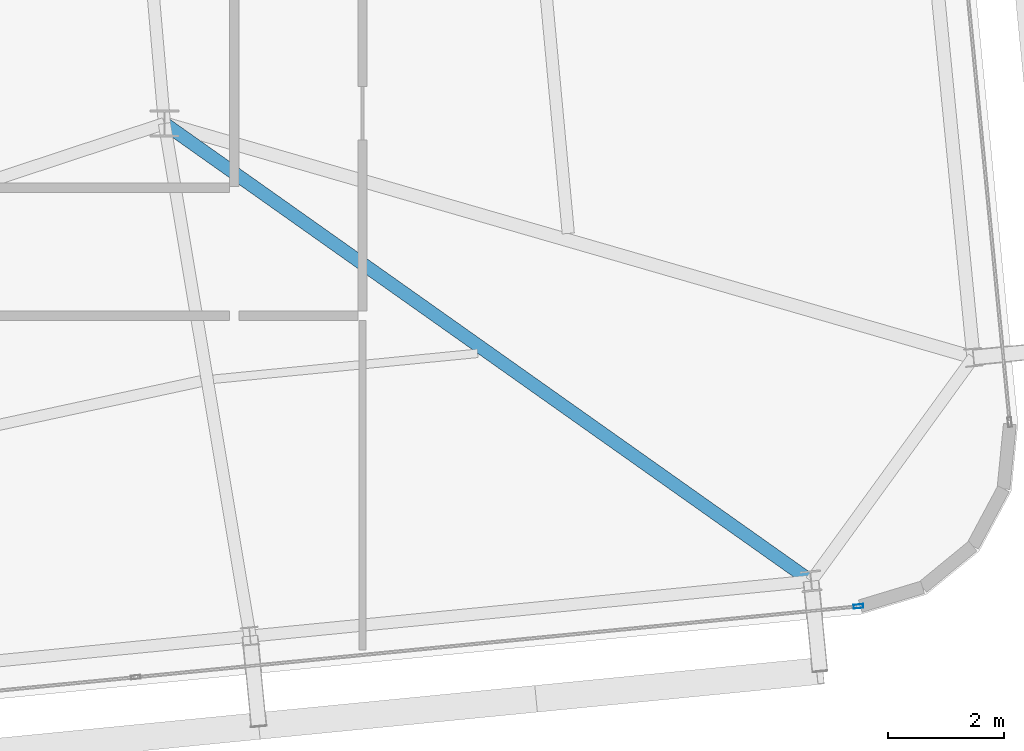
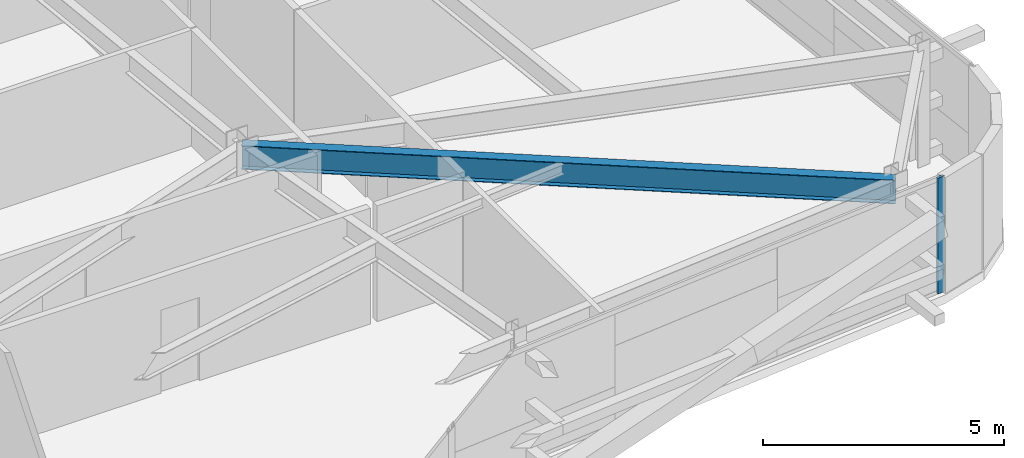
# One storey, part 17 of 47: 1 beam, 1 member, 1 element without a shape of its own.
"""IFC4 building model written with IfcOpenShell, lengths in metres."""

from ifc_helpers import new_model, si_unit, direction, frame, origin, origin_2d, place, context, subcontext, project, spatial, hollow_rectangle, i_section, extrude, source, transform, mapped, material, layer, layer_set, material_profile, profile_set, type_object, element, aggregate, save


model = new_model("IFC4")

# Units and contexts
model_context = context("Model", 3, precision=1e-05, world=origin(), true_north=direction((0.0, 1.0)))
body_context = subcontext(model_context, "Body", "Model", "MODEL_VIEW")
ifc_project = project(units=[si_unit("LENGTHUNIT", "METRE"), si_unit("AREAUNIT", "SQUARE_METRE"), si_unit("VOLUMEUNIT", "CUBIC_METRE"), si_unit("PLANEANGLEUNIT", "RADIAN"), si_unit("MASSUNIT", "GRAM", prefix="KILO")], contexts=[model_context])

# Site, building, storey
site_placement = place(None, origin())
site = spatial("IfcSite", under=ifc_project, at=site_placement, CompositionType="ELEMENT")
building_placement = place(site_placement, origin())
building = spatial("IfcBuilding", under=site, at=building_placement, Name="Taldren Reach Tower", CompositionType="ELEMENT")
storey_placement = place(building_placement, frame((0.0, 0.0, 87.14990234375)))
storey = spatial("IfcBuildingStorey", under=building, at=storey_placement, Name="L26", CompositionType="ELEMENT", Elevation=87.14990234375)

# Beam
ifc_material_1 = material(Name="Steel Gr 350 (350PLUS)", Category="steel")
ifc_material_profile_1 = material_profile(ifc_material_1, i_section(OverallWidth=0.22802734375, OverallDepth=0.60205078125, WebThickness=0.010498046875, FlangeThickness=0.014892578125, at=origin_2d()), Name="610UB101")
ifc_profile_set_1 = profile_set([ifc_material_profile_1], Name="Steel Gr 350 (350PLUS)")
beam_type = type_object("IfcBeamType", Name="BM-UB610B", PredefinedType="BEAM", material=ifc_profile_set_1)
shared_shape_1 = source(origin(), body_context, "Body", "SweptSolid", [
    extrude(i_section(OverallWidth=0.22802734375, OverallDepth=0.60205078125, WebThickness=0.010498046875, FlangeThickness=0.014892578125, at=origin_2d()), origin(), (0.0, 0.0, 1.0), 13.60205078125),
])
beam_placement = place(storey_placement, frame((52.0, 12.5, 2.629150390625), z_axis=(0.816297773281, -0.577631323022, 0.0), x_axis=(0.577631323022, 0.816297773281, 0.0)))
element("IfcBeam", 1, at=beam_placement, inside=storey, type_object=beam_type, Name="Primary floor girder B2-S6 L26", PredefinedType="BEAM", context=body_context, shape_type="MappedRepresentation", body=[
    mapped(shared_shape_1, transform((0.0, 0.0, 0.0), scale=1.0)),
])

# Curtain wall, member
ifc_material_2 = material(Name="Aluminium and Low-E Glass Unitised System", Category="aluminium")
ifc_layer = layer(ifc_material_2, 0.159912109375)
ifc_layer_set = layer_set([ifc_layer], Name="Aluminium and Low-E Glass Unitised System")
curtain_wall_type = type_object("IfcCurtainWallType", Name="CW-SYS-3", PredefinedType="NOTDEFINED", material=ifc_layer_set)
curtain_wall_placement = place(storey_placement, origin())
curtain_wall = element("IfcCurtainWall", 2, at=curtain_wall_placement, inside=storey, type_object=curtain_wall_type, Name="Unitised curtain wall CW-L26-S", PredefinedType="NOTDEFINED")
ifc_material_3 = material(Name="Anodised Aluminium 6063-T6", Category="aluminium")
ifc_material_profile_2 = material_profile(ifc_material_3, hollow_rectangle(XDim=0.06494140625, YDim=0.1650390625, WallThickness=0.00390625, at=origin_2d()), Name="ALU-165x65x4RHS")
ifc_profile_set_2 = profile_set([ifc_material_profile_2], Name="Anodised Aluminium 6063-T6")
member_type = type_object("IfcMemberType", Name="CW-MUL-165", PredefinedType="MULLION", material=ifc_profile_set_2)
shared_shape_2 = source(origin(), body_context, "Body", "SweptSolid", [
    extrude(hollow_rectangle(XDim=0.06494140625, YDim=0.1650390625, WallThickness=0.00390625, at=origin_2d()), origin(), (0.0, 0.0, 1.0), 2.93017578125),
])
member_placement = place(storey_placement, frame((63.916748046875, 4.21044921875, 0.0), z_axis=(0.0, 0.0, 1.0), x_axis=(-0.097582999046, 0.995227390247, 0.0)))
member = element("IfcMember", 3, at=member_placement, type_object=member_type, Name="CW-3 mullion 5", PredefinedType="MULLION", context=body_context, shape_type="MappedRepresentation", body=[
    mapped(shared_shape_2, transform((0.0, 0.0, 0.0), scale=1.0)),
])
aggregate(curtain_wall, [member])

save(model, "model.ifc")
